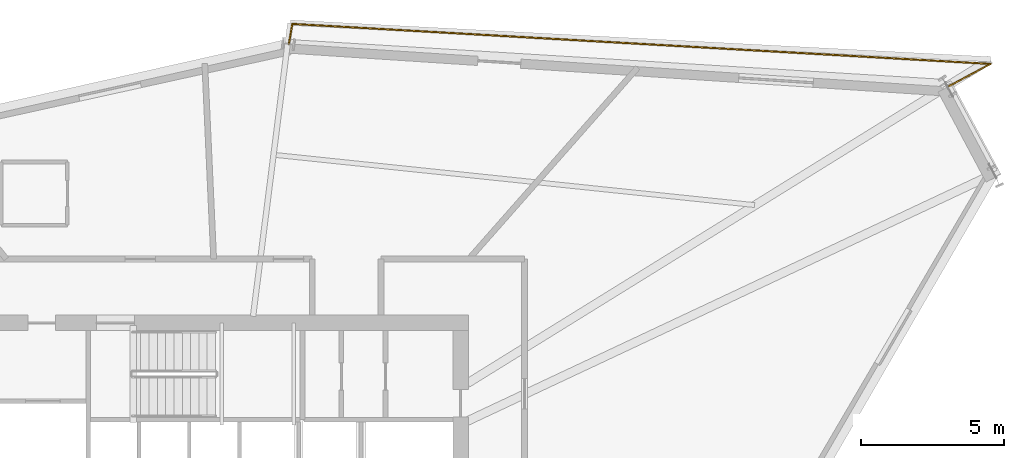
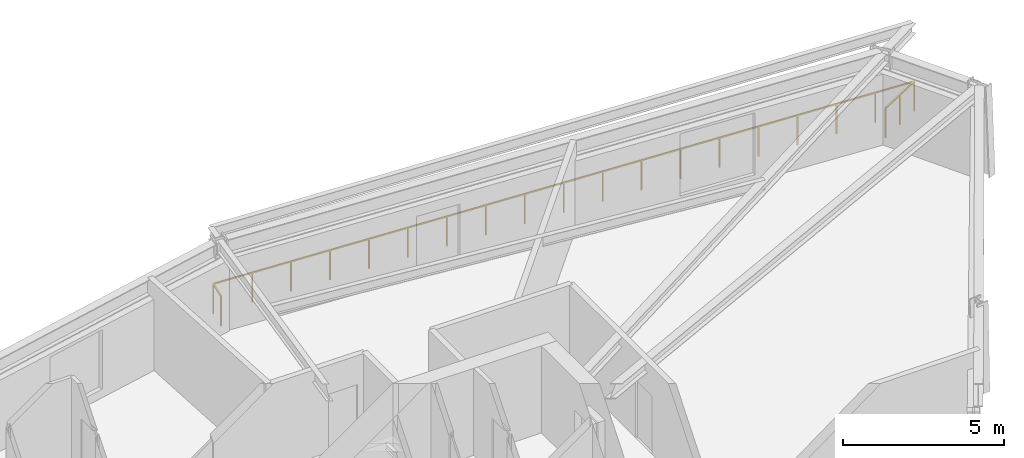
# One storey, part 14 of 15: 1 railing.
"""IFC4 building model written with IfcOpenShell, lengths in metres."""

from ifc_helpers import new_model, si_unit, direction, frame, origin, origin_2d, place, context, subcontext, project, spatial, rectangle, extrude, material, type_object, element, save


model = new_model("IFC4")

# Units and contexts
model_context = context("Model", 3, precision=1e-05, world=origin(), true_north=direction((0.0, 1.0)))
body_context = subcontext(model_context, "Body", "Model", "MODEL_VIEW")
ifc_project = project(units=[si_unit("LENGTHUNIT", "METRE"), si_unit("AREAUNIT", "SQUARE_METRE"), si_unit("VOLUMEUNIT", "CUBIC_METRE"), si_unit("PLANEANGLEUNIT", "RADIAN"), si_unit("MASSUNIT", "GRAM", prefix="KILO")], contexts=[model_context])

# Site, building, storey
site_placement = place(None, origin())
site = spatial("IfcSite", under=ifc_project, at=site_placement, CompositionType="ELEMENT")
building_placement = place(site_placement, origin())
building = spatial("IfcBuilding", under=site, at=building_placement, Name="Olszyna Solenne Hotel", CompositionType="ELEMENT")
storey_placement = place(building_placement, frame((0.0, 0.0, 150.14990234375)))
storey = spatial("IfcBuildingStorey", under=building, at=storey_placement, Name="L39", CompositionType="ELEMENT", Elevation=150.14990234375)

# Railing
ifc_material = material(Name="Anodised bronze aluminium", Category="aluminium")
railing_type = type_object("IfcRailingType", Name="GR-110", PredefinedType="BALUSTRADE", material=ifc_material)
railing_placement = place(storey_placement, frame((63.1494140625, 42.19677734375, 0.0)))
element("IfcRailing", 1, at=railing_placement, inside=storey, type_object=railing_type, Name="Loggia balcony balustrade guard GR-L39-LG1", PredefinedType="BALUSTRADE", context=body_context, shape_type="SweptSolid", body=[
    extrude(rectangle(XDim=0.048095703125, YDim=0.048095703125, at=origin_2d()), frame((0.0, 0.0, 1.1259765625), z_axis=(0.880299617918, 0.474418151732, 0.0), x_axis=(-0.474418151732, 0.880299617918, 0.0)), (0.0, 0.0, 1.0), 1.692138671875),
    extrude(rectangle(XDim=0.048095703125, YDim=0.048095703125, at=origin_2d()), frame((1.489501953125, 0.802734375, 1.1259765625), z_axis=(-0.998363925049, 0.057179307107, 0.0), x_axis=(-0.057179307107, -0.998363925049, 0.0)), (0.0, 0.0, 1.0), 24.37158203125),
    extrude(rectangle(XDim=0.048095703125, YDim=0.048095703125, at=origin_2d()), frame((-22.84228515625, 2.1962890625, 1.1259765625), z_axis=(-0.172430423343, -0.985021699815, 0.0), x_axis=(0.985021699815, -0.172430423343, 0.0)), (0.0, 0.0, 1.0), 0.70947265625),
    extrude(rectangle(XDim=0.0419921875, YDim=0.0419921875, at=origin_2d()), origin(), (0.0, 0.0, 1.0), 1.101806640625),
    extrude(rectangle(XDim=0.0419921875, YDim=0.0419921875, at=origin_2d()), frame((0.74462890625, 0.4013671875, 0.0)), (0.0, 0.0, 1.0), 1.101806640625),
    extrude(rectangle(XDim=0.0419921875, YDim=0.0419921875, at=origin_2d()), frame((1.489501953125, 0.802734375, 0.0)), (0.0, 0.0, 1.0), 1.101806640625),
    extrude(rectangle(XDim=0.0419921875, YDim=0.0419921875, at=origin_2d()), frame((0.1376953125, 0.880126953125, 0.0)), (0.0, 0.0, 1.0), 1.101806640625),
    extrude(rectangle(XDim=0.0419921875, YDim=0.0419921875, at=origin_2d()), frame((-1.214111328125, 0.95751953125, 0.0)), (0.0, 0.0, 1.0), 1.101806640625),
    extrude(rectangle(XDim=0.0419921875, YDim=0.0419921875, at=origin_2d()), frame((-2.56591796875, 1.034912109375, 0.0)), (0.0, 0.0, 1.0), 1.101806640625),
    extrude(rectangle(XDim=0.0419921875, YDim=0.0419921875, at=origin_2d()), frame((-3.91748046875, 1.1123046875, 0.0)), (0.0, 0.0, 1.0), 1.101806640625),
    extrude(rectangle(XDim=0.0419921875, YDim=0.0419921875, at=origin_2d()), frame((-5.269287109375, 1.18994140625, 0.0)), (0.0, 0.0, 1.0), 1.101806640625),
    extrude(rectangle(XDim=0.0419921875, YDim=0.0419921875, at=origin_2d()), frame((-6.62109375, 1.267333984375, 0.0)), (0.0, 0.0, 1.0), 1.101806640625),
    extrude(rectangle(XDim=0.0419921875, YDim=0.0419921875, at=origin_2d()), frame((-7.972900390625, 1.3447265625, 0.0)), (0.0, 0.0, 1.0), 1.101806640625),
    extrude(rectangle(XDim=0.0419921875, YDim=0.0419921875, at=origin_2d()), frame((-9.32470703125, 1.422119140625, 0.0)), (0.0, 0.0, 1.0), 1.101806640625),
    extrude(rectangle(XDim=0.0419921875, YDim=0.0419921875, at=origin_2d()), frame((-10.67626953125, 1.49951171875, 0.0)), (0.0, 0.0, 1.0), 1.101806640625),
    extrude(rectangle(XDim=0.0419921875, YDim=0.0419921875, at=origin_2d()), frame((-12.028076171875, 1.576904296875, 0.0)), (0.0, 0.0, 1.0), 1.101806640625),
    extrude(rectangle(XDim=0.0419921875, YDim=0.0419921875, at=origin_2d()), frame((-13.3798828125, 1.654296875, 0.0)), (0.0, 0.0, 1.0), 1.101806640625),
    extrude(rectangle(XDim=0.0419921875, YDim=0.0419921875, at=origin_2d()), frame((-14.731689453125, 1.731689453125, 0.0)), (0.0, 0.0, 1.0), 1.101806640625),
    extrude(rectangle(XDim=0.0419921875, YDim=0.0419921875, at=origin_2d()), frame((-16.08349609375, 1.80908203125, 0.0)), (0.0, 0.0, 1.0), 1.101806640625),
    extrude(rectangle(XDim=0.0419921875, YDim=0.0419921875, at=origin_2d()), frame((-17.435302734375, 1.88671875, 0.0)), (0.0, 0.0, 1.0), 1.101806640625),
    extrude(rectangle(XDim=0.0419921875, YDim=0.0419921875, at=origin_2d()), frame((-18.787109375, 1.964111328125, 0.0)), (0.0, 0.0, 1.0), 1.101806640625),
    extrude(rectangle(XDim=0.0419921875, YDim=0.0419921875, at=origin_2d()), frame((-20.138671875, 2.04150390625, 0.0)), (0.0, 0.0, 1.0), 1.101806640625),
    extrude(rectangle(XDim=0.0419921875, YDim=0.0419921875, at=origin_2d()), frame((-21.490478515625, 2.118896484375, 0.0)), (0.0, 0.0, 1.0), 1.101806640625),
    extrude(rectangle(XDim=0.0419921875, YDim=0.0419921875, at=origin_2d()), frame((-22.84228515625, 2.1962890625, 0.0)), (0.0, 0.0, 1.0), 1.101806640625),
    extrude(rectangle(XDim=0.0419921875, YDim=0.0419921875, at=origin_2d()), frame((-22.964599609375, 1.49755859375, 0.0)), (0.0, 0.0, 1.0), 1.101806640625),
])

save(model, "model.ifc")
